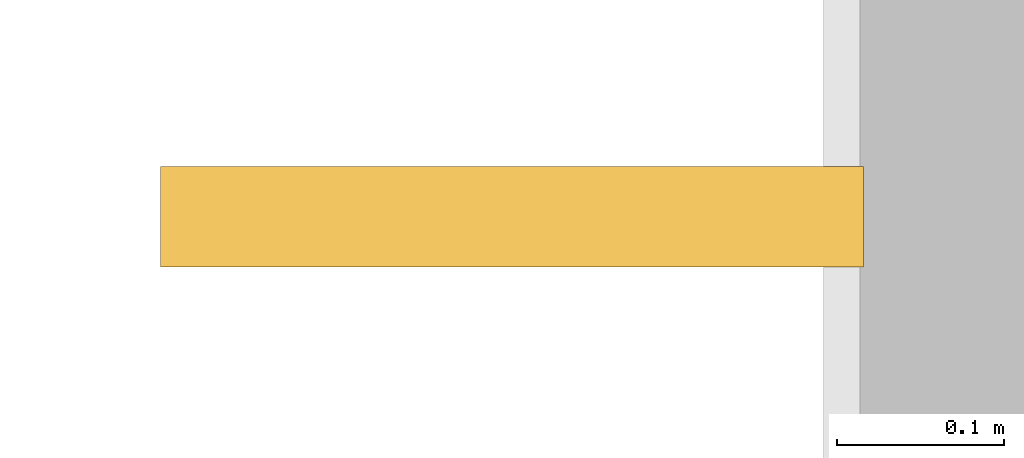
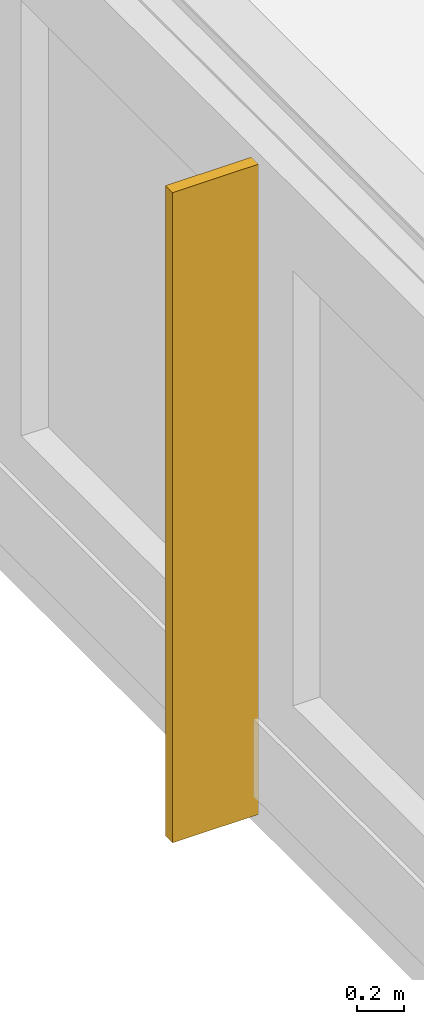
# One storey, part 106 of 114: 1 shading device.
"""IFC4 building model written with IfcOpenShell, lengths in metres."""

import ifcopenshell
import ifcopenshell.guid

model = None  # the IFC model being written
_history = None  # IfcOwnerHistory: only IFC2X3 demands one
_inside = {}  # id of a spatial element -> (the spatial element, [elements in it])
_under = {}  # id of a project, library or spatial element -> (it, [spatial elements below it])
_declared = {}  # id of a project -> (the project, [libraries it declares])
_typed = {}  # id of a type object -> (the type object, [elements of that type])
_made_of = {}  # id of a material, layer set ... -> (it, [elements and type objects made of it])


def new_model(schema):
    """Start an empty IFC model of exactly this schema.

    Asked for "IFC4X3", IfcOpenShell would pick the latest addendum, in which some entities
    have other attributes; the version numbers below select the first issue.
    IFC2X3 requires an IfcOwnerHistory on every rooted entity: one is made here for all.
    """
    global model, _history
    if schema == "IFC4X3":
        model = ifcopenshell.file(schema_version=(4, 3, 0, 0))
    else:
        model = ifcopenshell.file(schema=schema)
    _inside.clear()
    _under.clear()
    _declared.clear()
    _typed.clear()
    _made_of.clear()
    _history = None
    if model.schema == "IFC2X3":
        org = make("IfcOrganization", Name="unknown")
        user = make(
            "IfcPersonAndOrganization",
            ThePerson=make("IfcPerson", FamilyName="unknown"),
            TheOrganization=org,
        )
        app = make(
            "IfcApplication",
            ApplicationDeveloper=org,
            Version="unknown",
            ApplicationFullName="unknown",
            ApplicationIdentifier="unknown",
        )
        _history = make(
            "IfcOwnerHistory",
            OwningUser=user,
            OwningApplication=app,
            ChangeAction="ADDED",
            CreationDate=0,
        )
    return model


def make(cls, **values):
    """One entity of the class cls with the attributes given. An attribute that is None is left unset."""
    return model.create_entity(
        cls, **{name: value for name, value in values.items() if value is not None}
    )


def rooted(cls, **values):
    """An entity with a GlobalId (a new one), such as an element, a storey or a relation."""
    return make(cls, GlobalId=ifcopenshell.guid.new(), OwnerHistory=_history, **values)


def si_unit(unit_type, name, prefix=None):
    """IfcSIUnit, for example si_unit("LENGTHUNIT", "METRE", prefix="MILLI")."""
    return make("IfcSIUnit", UnitType=unit_type, Prefix=prefix, Name=name)


def assignment(units):
    """IfcUnitAssignment: the units of a project."""
    return None if units is None else make("IfcUnitAssignment", Units=units)


def point(xyz):
    """IfcCartesianPoint."""
    return None if xyz is None else make("IfcCartesianPoint", Coordinates=xyz)


def direction(xyz):
    """IfcDirection."""
    return None if xyz is None else make("IfcDirection", DirectionRatios=xyz)


def frame(location, z_axis=None, x_axis=None):
    """IfcAxis2Placement3D, a coordinate frame: its origin and axes. An axis left out is left unset."""
    return make(
        "IfcAxis2Placement3D",
        Location=point(location),
        Axis=direction(z_axis),
        RefDirection=direction(x_axis),
    )


def frame_2d(location, x_axis=None):
    """IfcAxis2Placement2D, a coordinate frame in the plane: its origin and x axis."""
    return make(
        "IfcAxis2Placement2D", Location=point(location), RefDirection=direction(x_axis)
    )


def origin():
    """The frame at (0, 0, 0) with its axes left unset."""
    return frame((0.0, 0.0, 0.0))


def origin_2d():
    """The frame at (0, 0) in the plane with its x axis left unset."""
    return frame_2d((0.0, 0.0))


def place(relative_to, where):
    """IfcLocalPlacement: puts the frame where relative to a parent placement (None: the world)."""
    return make(
        "IfcLocalPlacement", PlacementRelTo=relative_to, RelativePlacement=where
    )


def context(
    kind, dimensions, precision=None, world=None, true_north=None, identifier=None
):
    """IfcGeometricRepresentationContext, for example the 3D "Model" context."""
    return make(
        "IfcGeometricRepresentationContext",
        ContextIdentifier=identifier,
        ContextType=kind,
        CoordinateSpaceDimension=dimensions,
        Precision=precision,
        WorldCoordinateSystem=world,
        TrueNorth=true_north,
    )


def subcontext(parent, identifier, kind, view, scale=None):
    """IfcGeometricRepresentationSubContext, for example "Body" below "Model"."""
    return make(
        "IfcGeometricRepresentationSubContext",
        ContextIdentifier=identifier,
        ContextType=kind,
        ParentContext=parent,
        TargetScale=scale,
        TargetView=view,
    )


def project(units=None, contexts=None):
    """IfcProject with its units and contexts."""
    return rooted(
        "IfcProject",
        Name="project",
        RepresentationContexts=contexts,
        UnitsInContext=assignment(units),
    )


def spatial(cls, under=None, at=None, **own):
    """A site, building, storey or space (cls), placed at a placement, below another one or the project."""
    s = rooted(cls, ObjectPlacement=at, **own)
    if under is not None:
        _under.setdefault(under.id(), (under, []))[1].append(s)
    return s


def profile(cls, at=None, kind="AREA", **sizes):
    """A parametric profile (cls). Its sizes go by their IFC names, for example OverallWidth=200.0."""
    return make(cls, ProfileType=kind, Position=at, **sizes)


def rectangle(**sizes):
    """IfcRectangleProfileDef."""
    return profile("IfcRectangleProfileDef", **sizes)


def extrude(swept, where, along, depth):
    """IfcExtrudedAreaSolid: the profile swept, set in the frame where, extruded along a direction by depth."""
    return make(
        "IfcExtrudedAreaSolid",
        SweptArea=swept,
        Position=where,
        ExtrudedDirection=direction(along),
        Depth=depth,
    )


def shape(context_of_items, identifier, shape_type, items):
    """IfcShapeRepresentation: the items that make up one representation, for example the "Body"."""
    return make(
        "IfcShapeRepresentation",
        ContextOfItems=context_of_items,
        RepresentationIdentifier=identifier,
        RepresentationType=shape_type,
        Items=items,
    )


def material(Name=None, Category=None):
    """IfcMaterial."""
    return make("IfcMaterial", Name=Name, Category=Category)


def made_of(thing, what):
    """Note that an element or type object is made of a material, layer set ...; save() writes the relation."""
    if what is not None:
        _made_of.setdefault(what.id(), (what, []))[1].append(thing)
    return thing


def type_object(cls, material=None, **own):
    """A type object (cls), such as IfcWallType, which elements share."""
    return made_of(rooted(cls, **own), material)


def element(
    cls,
    number,
    at=None,
    inside=None,
    cuts=None,
    type_object=None,
    material=None,
    context=None,
    identifier="Body",
    shape_type=None,
    held_by="IfcProductDefinitionShape",
    body=None,
    shapes=None,
    **own,
):
    """One element of the class cls, such as IfcWall. Its Tag is "e" and its number.

    at: its placement. inside: the storey or other place that contains it. cuts: it is an
    opening in that element (IfcRelVoidsElement). A single representation is given by context,
    identifier, shape_type and body (its items); several are given by shapes. held_by: the class
    of the entity that holds the representations. save() writes the other relations.
    """
    e = rooted(cls, Tag="e%d" % number, ObjectPlacement=at, **own)
    if body is not None:
        shapes = [shape(context, identifier, shape_type, body)]
    if shapes is not None:
        e.Representation = make(held_by, Representations=shapes)
    if inside is not None:
        _inside.setdefault(inside.id(), (inside, []))[1].append(e)
    if cuts is not None:
        rooted(
            "IfcRelVoidsElement", RelatingBuildingElement=cuts, RelatedOpeningElement=e
        )
    if type_object is not None:
        _typed.setdefault(type_object.id(), (type_object, []))[1].append(e)
    return made_of(e, material)


def aggregate(whole, parts):
    """IfcRelAggregates: a whole, such as a stair, and the parts it consists of."""
    return rooted("IfcRelAggregates", RelatingObject=whole, RelatedObjects=parts)


def save(model, path):
    """Write the relations noted so far, then the file.

    IfcRelAggregates (storeys below a building ...), IfcRelContainedInSpatialStructure (elements
    in a storey), IfcRelDefinesByType, IfcRelAssociatesMaterial and IfcRelDeclares: one each for
    every whole, place, type object, material and project.
    """
    for whole, parts in _under.values():
        aggregate(whole, parts)
    for where, things in _inside.values():
        rooted(
            "IfcRelContainedInSpatialStructure",
            RelatedElements=things,
            RelatingStructure=where,
        )
    for kind, things in _typed.values():
        rooted("IfcRelDefinesByType", RelatedObjects=things, RelatingType=kind)
    for what, things in _made_of.values():
        rooted("IfcRelAssociatesMaterial", RelatedObjects=things, RelatingMaterial=what)
    for by, libraries in _declared.values():
        rooted("IfcRelDeclares", RelatingContext=by, RelatedDefinitions=libraries)
    model.write(path)


model = new_model("IFC4")

# Units and contexts
model_context = context("Model", 3, precision=1e-05, world=origin(), true_north=direction((0.0, 1.0)))
body_context = subcontext(model_context, "Body", "Model", "MODEL_VIEW")
ifc_project = project(units=[si_unit("LENGTHUNIT", "METRE"), si_unit("AREAUNIT", "SQUARE_METRE"), si_unit("VOLUMEUNIT", "CUBIC_METRE"), si_unit("PLANEANGLEUNIT", "RADIAN"), si_unit("MASSUNIT", "GRAM", prefix="KILO")], contexts=[model_context])

# Site, building, storey
site_placement = place(None, origin())
site = spatial("IfcSite", under=ifc_project, at=site_placement, CompositionType="ELEMENT")
building_placement = place(site_placement, origin())
building = spatial("IfcBuilding", under=site, at=building_placement, Name="Montecoro Central Library", CompositionType="ELEMENT")
storey_placement = place(building_placement, frame((0.0, 0.0, 13.260009765625)))
storey = spatial("IfcBuildingStorey", under=building, at=storey_placement, Name="L03", CompositionType="ELEMENT", Elevation=13.260009765625)

# Shading device
ifc_material = material(Name="Architectural bronze solar fin", Category="aluminium")
shading_device_type = type_object("IfcShadingDeviceType", Name="SHD-FIN-09", PredefinedType="USERDEFINED", material=ifc_material)
shading_device_placement = place(storey_placement, frame((66.029541015625, 92.39990234375, 0.06005859375), z_axis=(0.0, 0.0, 1.0), x_axis=(0.0, -1.0, 0.0)))
element("IfcShadingDevice", 1, at=shading_device_placement, inside=storey, type_object=shading_device_type, Name="V2-L03-FIN-W0", ObjectType="SOLAR FIN", PredefinedType="USERDEFINED", context=body_context, shape_type="SweptSolid", body=[
    extrude(rectangle(XDim=0.06005859375, YDim=0.419921875, at=origin_2d()), origin(), (0.0, 0.0, 1.0), 3.360107421875),
])

save(model, "model.ifc")
